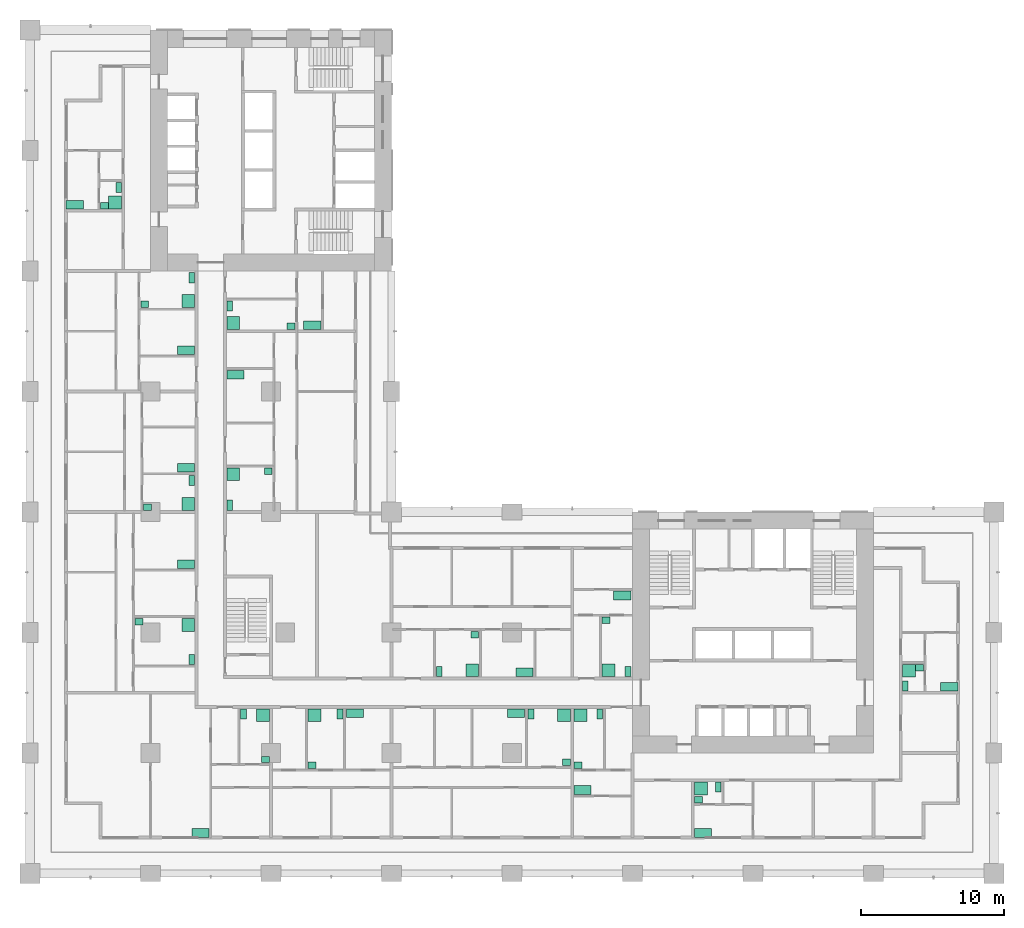
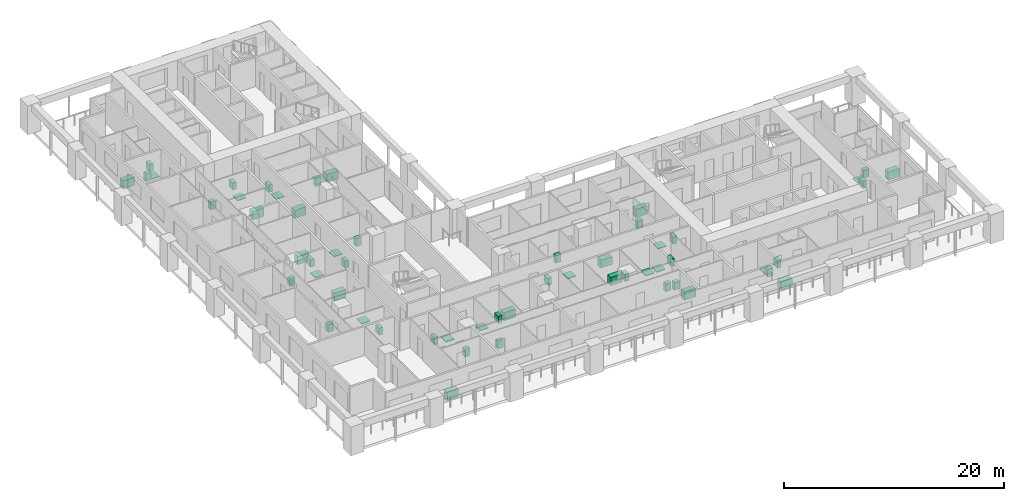
# One storey, part 19 of 19: 56 sanitary terminals.
"""IFC4 building model written with IfcOpenShell, lengths in metres."""

from ifc_helpers import new_model, si_unit, direction, frame, origin, origin_2d, place, context, subcontext, project, spatial, rectangle, extrude, material, element, save


model = new_model("IFC4")

# Units and contexts
model_context = context("Model", 3, precision=1e-05, world=origin(), true_north=direction((0.0, 1.0)))
body_context = subcontext(model_context, "Body", "Model", "MODEL_VIEW")
ifc_project = project(units=[si_unit("LENGTHUNIT", "METRE"), si_unit("AREAUNIT", "SQUARE_METRE"), si_unit("VOLUMEUNIT", "CUBIC_METRE"), si_unit("PLANEANGLEUNIT", "RADIAN"), si_unit("MASSUNIT", "GRAM", prefix="KILO")], contexts=[model_context])

# Site, building, storey
site_placement = place(None, origin())
site = spatial("IfcSite", under=ifc_project, at=site_placement, CompositionType="ELEMENT")
building_placement = place(site_placement, origin())
building = spatial("IfcBuilding", under=site, at=building_placement, Name="Vermilion Gate Residences", CompositionType="ELEMENT")
storey_placement = place(building_placement, frame((0.0, 0.0, 53.199951171875)))
storey = spatial("IfcBuildingStorey", under=building, at=storey_placement, Name="L12", CompositionType="ELEMENT", Elevation=53.199951171875)

# Sanitary terminals
ifc_material_1 = material(Name="Stainless steel", Category="steel")
sanitary_terminal_1_placement = place(storey_placement, frame((11.8798828125, 2.820068359375, 0.0), z_axis=(0.0, 0.0, 1.0), x_axis=(1.0, 0.0, 0.0)))
element("IfcSanitaryTerminal", 1, at=sanitary_terminal_1_placement, inside=storey, material=ifc_material_1, Name="Kitchen sink", PredefinedType="SINK", context=body_context, shape_type="SweptSolid", body=[
    extrude(rectangle(XDim=1.199951171875, YDim=0.60009765625, at=origin_2d()), origin(), (0.0, 0.0, 1.0), 0.89990234375),
])
ifc_material_2 = material(Name="Vitreous china")
sanitary_terminal_2_placement = place(storey_placement, frame((16.22998046875, 11.030029296875, 0.0), z_axis=(0.0, 0.0, 1.0), x_axis=(1.0, 0.0, 0.0)))
element("IfcSanitaryTerminal", 2, at=sanitary_terminal_2_placement, inside=storey, material=ifc_material_2, Name="Shower tray", PredefinedType="SHOWER", context=body_context, shape_type="SweptSolid", body=[
    extrude(rectangle(XDim=0.89990234375, YDim=0.89990234375, at=origin_2d()), origin(), (0.0, 0.0, 1.0), 0.10009765625),
])
sanitary_terminal_3_placement = place(storey_placement, frame((14.8798828125, 11.1298828125, 0.0), z_axis=(0.0, 0.0, 1.0), x_axis=(1.0, 0.0, 0.0)))
element("IfcSanitaryTerminal", 3, at=sanitary_terminal_3_placement, inside=storey, material=ifc_material_2, Name="Toilet", PredefinedType="TOILETPAN", context=body_context, shape_type="SweptSolid", body=[
    extrude(rectangle(XDim=0.39990234375, YDim=0.699951171875, at=origin_2d()), origin(), (0.0, 0.0, 1.0), 0.800048828125),
])
sanitary_terminal_4_placement = place(storey_placement, frame((16.405029296875, 7.945068359375, 0.0), z_axis=(0.0, 0.0, 1.0), x_axis=(1.0, 0.0, 0.0)))
element("IfcSanitaryTerminal", 4, at=sanitary_terminal_4_placement, inside=storey, material=ifc_material_2, Name="Wash basin", PredefinedType="WASHHANDBASIN", context=body_context, shape_type="SweptSolid", body=[
    extrude(rectangle(XDim=0.550048828125, YDim=0.449951171875, at=origin_2d()), origin(), (0.0, 0.0, 1.0), 0.85009765625),
])
sanitary_terminal_5_placement = place(storey_placement, frame((19.8369140625, 11.030029296875, 0.0), z_axis=(0.0, 0.0, 1.0), x_axis=(1.0, 0.0, 0.0)))
element("IfcSanitaryTerminal", 5, at=sanitary_terminal_5_placement, inside=storey, material=ifc_material_2, Name="Shower tray", PredefinedType="SHOWER", context=body_context, shape_type="SweptSolid", body=[
    extrude(rectangle(XDim=0.89990234375, YDim=0.89990234375, at=origin_2d()), origin(), (0.0, 0.0, 1.0), 0.10009765625),
])
sanitary_terminal_6_placement = place(storey_placement, frame((21.613037109375, 11.1298828125, 0.0), z_axis=(0.0, 0.0, 1.0), x_axis=(1.0, 0.0, 0.0)))
element("IfcSanitaryTerminal", 6, at=sanitary_terminal_6_placement, inside=storey, material=ifc_material_2, Name="Toilet", PredefinedType="TOILETPAN", context=body_context, shape_type="SweptSolid", body=[
    extrude(rectangle(XDim=0.39990234375, YDim=0.699951171875, at=origin_2d()), origin(), (0.0, 0.0, 1.0), 0.800048828125),
])
sanitary_terminal_7_placement = place(storey_placement, frame((19.662109375, 7.544921875, 0.0), z_axis=(0.0, 0.0, 1.0), x_axis=(1.0, 0.0, 0.0)))
element("IfcSanitaryTerminal", 7, at=sanitary_terminal_7_placement, inside=storey, material=ifc_material_2, Name="Wash basin", PredefinedType="WASHHANDBASIN", context=body_context, shape_type="SweptSolid", body=[
    extrude(rectangle(XDim=0.550048828125, YDim=0.449951171875, at=origin_2d()), origin(), (0.0, 0.0, 1.0), 0.85009765625),
])
for number, where, z_axis, x_axis, name in (
    (8, (22.653076171875, 11.179931640625, 0.0), (0.0, 0.0, 1.0), (1.0, 0.0, 0.0), "Kitchen sink"),
    (9, (33.8798828125, 11.179931640625, 0.0), (0.0, 0.0, 1.0), (1.0, 0.0, 0.0), "Kitchen sink"),
):
    element("IfcSanitaryTerminal", number, at=place(storey_placement, frame(where, z_axis=z_axis, x_axis=x_axis)), inside=storey, material=ifc_material_1, Name=name, PredefinedType="SINK", context=body_context, shape_type="SweptSolid", body=[
        extrude(rectangle(XDim=1.199951171875, YDim=0.60009765625, at=origin_2d()), origin(), (0.0, 0.0, 1.0), 0.89990234375),
    ])
sanitary_terminal_8_placement = place(storey_placement, frame((37.22998046875, 11.030029296875, 0.0), z_axis=(0.0, 0.0, 1.0), x_axis=(1.0, 0.0, 0.0)))
element("IfcSanitaryTerminal", 10, at=sanitary_terminal_8_placement, inside=storey, material=ifc_material_2, Name="Shower tray", PredefinedType="SHOWER", context=body_context, shape_type="SweptSolid", body=[
    extrude(rectangle(XDim=0.89990234375, YDim=0.89990234375, at=origin_2d()), origin(), (0.0, 0.0, 1.0), 0.10009765625),
])
sanitary_terminal_9_placement = place(storey_placement, frame((34.919921875, 11.1298828125, 0.0), z_axis=(0.0, 0.0, 1.0), x_axis=(1.0, 0.0, 0.0)))
element("IfcSanitaryTerminal", 11, at=sanitary_terminal_9_placement, inside=storey, material=ifc_material_2, Name="Toilet", PredefinedType="TOILETPAN", context=body_context, shape_type="SweptSolid", body=[
    extrude(rectangle(XDim=0.39990234375, YDim=0.699951171875, at=origin_2d()), origin(), (0.0, 0.0, 1.0), 0.800048828125),
])
sanitary_terminal_10_placement = place(storey_placement, frame((37.405029296875, 7.7451171875, 0.0), z_axis=(0.0, 0.0, 1.0), x_axis=(1.0, 0.0, 0.0)))
element("IfcSanitaryTerminal", 12, at=sanitary_terminal_10_placement, inside=storey, material=ifc_material_2, Name="Wash basin", PredefinedType="WASHHANDBASIN", context=body_context, shape_type="SweptSolid", body=[
    extrude(rectangle(XDim=0.550048828125, YDim=0.449951171875, at=origin_2d()), origin(), (0.0, 0.0, 1.0), 0.85009765625),
])
sanitary_terminal_11_placement = place(storey_placement, frame((38.52001953125, 5.820068359375, 0.0), z_axis=(0.0, 0.0, 1.0), x_axis=(1.0, 0.0, 0.0)))
element("IfcSanitaryTerminal", 13, at=sanitary_terminal_11_placement, inside=storey, material=ifc_material_1, Name="Kitchen sink", PredefinedType="SINK", context=body_context, shape_type="SweptSolid", body=[
    extrude(rectangle(XDim=1.199951171875, YDim=0.60009765625, at=origin_2d()), origin(), (0.0, 0.0, 1.0), 0.89990234375),
])
sanitary_terminal_12_placement = place(storey_placement, frame((38.3701171875, 11.030029296875, 0.0), z_axis=(0.0, 0.0, 1.0), x_axis=(1.0, 0.0, 0.0)))
element("IfcSanitaryTerminal", 14, at=sanitary_terminal_12_placement, inside=storey, material=ifc_material_2, Name="Shower tray", PredefinedType="SHOWER", context=body_context, shape_type="SweptSolid", body=[
    extrude(rectangle(XDim=0.89990234375, YDim=0.89990234375, at=origin_2d()), origin(), (0.0, 0.0, 1.0), 0.10009765625),
])
sanitary_terminal_13_placement = place(storey_placement, frame((39.719970703125, 11.1298828125, 0.0), z_axis=(0.0, 0.0, 1.0), x_axis=(1.0, 0.0, 0.0)))
element("IfcSanitaryTerminal", 15, at=sanitary_terminal_13_placement, inside=storey, material=ifc_material_2, Name="Toilet", PredefinedType="TOILETPAN", context=body_context, shape_type="SweptSolid", body=[
    extrude(rectangle(XDim=0.39990234375, YDim=0.699951171875, at=origin_2d()), origin(), (0.0, 0.0, 1.0), 0.800048828125),
])
sanitary_terminal_14_placement = place(storey_placement, frame((38.195068359375, 7.544921875, 0.0), z_axis=(0.0, 0.0, 1.0), x_axis=(1.0, 0.0, 0.0)))
element("IfcSanitaryTerminal", 16, at=sanitary_terminal_14_placement, inside=storey, material=ifc_material_2, Name="Wash basin", PredefinedType="WASHHANDBASIN", context=body_context, shape_type="SweptSolid", body=[
    extrude(rectangle(XDim=0.550048828125, YDim=0.449951171875, at=origin_2d()), origin(), (0.0, 0.0, 1.0), 0.85009765625),
])
sanitary_terminal_15_placement = place(storey_placement, frame((30.830078125, 14.169921875, 0.0), z_axis=(0.0, 0.0, 1.0), x_axis=(1.0, 0.0, 0.0)))
element("IfcSanitaryTerminal", 17, at=sanitary_terminal_15_placement, inside=storey, material=ifc_material_2, Name="Shower tray", PredefinedType="SHOWER", context=body_context, shape_type="SweptSolid", body=[
    extrude(rectangle(XDim=0.89990234375, YDim=0.89990234375, at=origin_2d()), origin(), (0.0, 0.0, 1.0), 0.10009765625),
])
sanitary_terminal_16_placement = place(storey_placement, frame((28.52001953125, 14.070068359375, 0.0), z_axis=(0.0, 0.0, 1.0), x_axis=(1.0, 0.0, 0.0)))
element("IfcSanitaryTerminal", 18, at=sanitary_terminal_16_placement, inside=storey, material=ifc_material_2, Name="Toilet", PredefinedType="TOILETPAN", context=body_context, shape_type="SweptSolid", body=[
    extrude(rectangle(XDim=0.39990234375, YDim=0.699951171875, at=origin_2d()), origin(), (0.0, 0.0, 1.0), 0.800048828125),
])
sanitary_terminal_17_placement = place(storey_placement, frame((31.0048828125, 16.655029296875, 0.0), z_axis=(0.0, 0.0, 1.0), x_axis=(1.0, 0.0, 0.0)))
element("IfcSanitaryTerminal", 19, at=sanitary_terminal_17_placement, inside=storey, material=ifc_material_2, Name="Wash basin", PredefinedType="WASHHANDBASIN", context=body_context, shape_type="SweptSolid", body=[
    extrude(rectangle(XDim=0.550048828125, YDim=0.449951171875, at=origin_2d()), origin(), (0.0, 0.0, 1.0), 0.85009765625),
])
for number, where, z_axis, x_axis, name in (
    (20, (34.47998046875, 14.02001953125, 0.0), (0.0, 0.0, 1.0), (1.0, 0.0, 0.0), "Kitchen sink"),
    (21, (41.280029296875, 19.3798828125, 0.0), (0.0, 0.0, 1.0), (1.0, 0.0, 0.0), "Kitchen sink"),
):
    element("IfcSanitaryTerminal", number, at=place(storey_placement, frame(where, z_axis=z_axis, x_axis=x_axis)), inside=storey, material=ifc_material_1, Name=name, PredefinedType="SINK", context=body_context, shape_type="SweptSolid", body=[
        extrude(rectangle(XDim=1.199951171875, YDim=0.60009765625, at=origin_2d()), origin(), (0.0, 0.0, 1.0), 0.89990234375),
    ])
sanitary_terminal_18_placement = place(storey_placement, frame((40.330078125, 14.169921875, 0.0), z_axis=(0.0, 0.0, 1.0), x_axis=(1.0, 0.0, 0.0)))
element("IfcSanitaryTerminal", 22, at=sanitary_terminal_18_placement, inside=storey, material=ifc_material_2, Name="Shower tray", PredefinedType="SHOWER", context=body_context, shape_type="SweptSolid", body=[
    extrude(rectangle(XDim=0.89990234375, YDim=0.89990234375, at=origin_2d()), origin(), (0.0, 0.0, 1.0), 0.10009765625),
])
sanitary_terminal_19_placement = place(storey_placement, frame((41.679931640625, 14.070068359375, 0.0), z_axis=(0.0, 0.0, 1.0), x_axis=(1.0, 0.0, 0.0)))
element("IfcSanitaryTerminal", 23, at=sanitary_terminal_19_placement, inside=storey, material=ifc_material_2, Name="Toilet", PredefinedType="TOILETPAN", context=body_context, shape_type="SweptSolid", body=[
    extrude(rectangle(XDim=0.39990234375, YDim=0.699951171875, at=origin_2d()), origin(), (0.0, 0.0, 1.0), 0.800048828125),
])
sanitary_terminal_20_placement = place(storey_placement, frame((40.155029296875, 17.655029296875, 0.0), z_axis=(0.0, 0.0, 1.0), x_axis=(1.0, 0.0, 0.0)))
element("IfcSanitaryTerminal", 24, at=sanitary_terminal_20_placement, inside=storey, material=ifc_material_2, Name="Wash basin", PredefinedType="WASHHANDBASIN", context=body_context, shape_type="SweptSolid", body=[
    extrude(rectangle(XDim=0.550048828125, YDim=0.449951171875, at=origin_2d()), origin(), (0.0, 0.0, 1.0), 0.85009765625),
])
sanitary_terminal_21_placement = place(storey_placement, frame((11.030029296875, 17.330078125, 0.0), z_axis=(0.0, 0.0, 1.0), x_axis=(1.0, 0.0, 0.0)))
element("IfcSanitaryTerminal", 25, at=sanitary_terminal_21_placement, inside=storey, material=ifc_material_2, Name="Shower tray", PredefinedType="SHOWER", context=body_context, shape_type="SweptSolid", body=[
    extrude(rectangle(XDim=0.89990234375, YDim=0.89990234375, at=origin_2d()), origin(), (0.0, 0.0, 1.0), 0.10009765625),
])
sanitary_terminal_22_placement = place(storey_placement, frame((11.280029296875, 14.919921875, 0.0), z_axis=(0.0, 0.0, 1.0), x_axis=(1.0, 0.0, 0.0)))
element("IfcSanitaryTerminal", 26, at=sanitary_terminal_22_placement, inside=storey, material=ifc_material_2, Name="Toilet", PredefinedType="TOILETPAN", context=body_context, shape_type="SweptSolid", body=[
    extrude(rectangle(XDim=0.39990234375, YDim=0.699951171875, at=origin_2d()), origin(), (0.0, 0.0, 1.0), 0.800048828125),
])
sanitary_terminal_23_placement = place(storey_placement, frame((7.594970703125, 17.554931640625, 0.0), z_axis=(0.0, 0.0, 1.0), x_axis=(1.0, 0.0, 0.0)))
element("IfcSanitaryTerminal", 27, at=sanitary_terminal_23_placement, inside=storey, material=ifc_material_2, Name="Wash basin", PredefinedType="WASHHANDBASIN", context=body_context, shape_type="SweptSolid", body=[
    extrude(rectangle(XDim=0.550048828125, YDim=0.449951171875, at=origin_2d()), origin(), (0.0, 0.0, 1.0), 0.85009765625),
])
sanitary_terminal_24_placement = place(storey_placement, frame((10.8798828125, 21.570068359375, 0.0), z_axis=(0.0, 0.0, 1.0), x_axis=(1.0, 0.0, 0.0)))
element("IfcSanitaryTerminal", 28, at=sanitary_terminal_24_placement, inside=storey, material=ifc_material_1, Name="Kitchen sink", PredefinedType="SINK", context=body_context, shape_type="SweptSolid", body=[
    extrude(rectangle(XDim=1.199951171875, YDim=0.60009765625, at=origin_2d()), origin(), (0.0, 0.0, 1.0), 0.89990234375),
])
sanitary_terminal_25_placement = place(storey_placement, frame((11.030029296875, 25.77001953125, 0.0), z_axis=(0.0, 0.0, 1.0), x_axis=(1.0, 0.0, 0.0)))
element("IfcSanitaryTerminal", 29, at=sanitary_terminal_25_placement, inside=storey, material=ifc_material_2, Name="Shower tray", PredefinedType="SHOWER", context=body_context, shape_type="SweptSolid", body=[
    extrude(rectangle(XDim=0.89990234375, YDim=0.89990234375, at=origin_2d()), origin(), (0.0, 0.0, 1.0), 0.10009765625),
])
sanitary_terminal_26_placement = place(storey_placement, frame((11.280029296875, 27.39697265625, 0.0), z_axis=(0.0, 0.0, 1.0), x_axis=(1.0, 0.0, 0.0)))
element("IfcSanitaryTerminal", 30, at=sanitary_terminal_26_placement, inside=storey, material=ifc_material_2, Name="Toilet", PredefinedType="TOILETPAN", context=body_context, shape_type="SweptSolid", body=[
    extrude(rectangle(XDim=0.39990234375, YDim=0.699951171875, at=origin_2d()), origin(), (0.0, 0.0, 1.0), 0.800048828125),
])
sanitary_terminal_27_placement = place(storey_placement, frame((8.195068359375, 25.544921875, 0.0), z_axis=(0.0, 0.0, 1.0), x_axis=(1.0, 0.0, 0.0)))
element("IfcSanitaryTerminal", 31, at=sanitary_terminal_27_placement, inside=storey, material=ifc_material_2, Name="Wash basin", PredefinedType="WASHHANDBASIN", context=body_context, shape_type="SweptSolid", body=[
    extrude(rectangle(XDim=0.550048828125, YDim=0.449951171875, at=origin_2d()), origin(), (0.0, 0.0, 1.0), 0.85009765625),
])
for number, where, z_axis, x_axis, name in (
    (32, (10.8798828125, 28.287109375, 0.0), (0.0, 0.0, 1.0), (1.0, 0.0, 0.0), "Kitchen sink"),
    (33, (10.8798828125, 36.487060546875, 0.0), (0.0, 0.0, 1.0), (1.0, 0.0, 0.0), "Kitchen sink"),
):
    element("IfcSanitaryTerminal", number, at=place(storey_placement, frame(where, z_axis=z_axis, x_axis=x_axis)), inside=storey, material=ifc_material_1, Name=name, PredefinedType="SINK", context=body_context, shape_type="SweptSolid", body=[
        extrude(rectangle(XDim=1.199951171875, YDim=0.60009765625, at=origin_2d()), origin(), (0.0, 0.0, 1.0), 0.89990234375),
    ])
sanitary_terminal_28_placement = place(storey_placement, frame((11.030029296875, 39.903076171875, 0.0), z_axis=(0.0, 0.0, 1.0), x_axis=(1.0, 0.0, 0.0)))
element("IfcSanitaryTerminal", 34, at=sanitary_terminal_28_placement, inside=storey, material=ifc_material_2, Name="Shower tray", PredefinedType="SHOWER", context=body_context, shape_type="SweptSolid", body=[
    extrude(rectangle(XDim=0.89990234375, YDim=0.89990234375, at=origin_2d()), origin(), (0.0, 0.0, 1.0), 0.10009765625),
])
sanitary_terminal_29_placement = place(storey_placement, frame((11.280029296875, 41.530029296875, 0.0), z_axis=(0.0, 0.0, 1.0), x_axis=(1.0, 0.0, 0.0)))
element("IfcSanitaryTerminal", 35, at=sanitary_terminal_29_placement, inside=storey, material=ifc_material_2, Name="Toilet", PredefinedType="TOILETPAN", context=body_context, shape_type="SweptSolid", body=[
    extrude(rectangle(XDim=0.39990234375, YDim=0.699951171875, at=origin_2d()), origin(), (0.0, 0.0, 1.0), 0.800048828125),
])
sanitary_terminal_30_placement = place(storey_placement, frame((7.9951171875, 39.677978515625, 0.0), z_axis=(0.0, 0.0, 1.0), x_axis=(1.0, 0.0, 0.0)))
element("IfcSanitaryTerminal", 36, at=sanitary_terminal_30_placement, inside=storey, material=ifc_material_2, Name="Wash basin", PredefinedType="WASHHANDBASIN", context=body_context, shape_type="SweptSolid", body=[
    extrude(rectangle(XDim=0.550048828125, YDim=0.449951171875, at=origin_2d()), origin(), (0.0, 0.0, 1.0), 0.85009765625),
])
sanitary_terminal_31_placement = place(storey_placement, frame((14.169921875, 27.830078125, 0.0), z_axis=(0.0, 0.0, 1.0), x_axis=(1.0, 0.0, 0.0)))
element("IfcSanitaryTerminal", 37, at=sanitary_terminal_31_placement, inside=storey, material=ifc_material_2, Name="Shower tray", PredefinedType="SHOWER", context=body_context, shape_type="SweptSolid", body=[
    extrude(rectangle(XDim=0.89990234375, YDim=0.89990234375, at=origin_2d()), origin(), (0.0, 0.0, 1.0), 0.10009765625),
])
sanitary_terminal_32_placement = place(storey_placement, frame((13.919921875, 25.669921875, 0.0), z_axis=(0.0, 0.0, 1.0), x_axis=(1.0, 0.0, 0.0)))
element("IfcSanitaryTerminal", 38, at=sanitary_terminal_32_placement, inside=storey, material=ifc_material_2, Name="Toilet", PredefinedType="TOILETPAN", context=body_context, shape_type="SweptSolid", body=[
    extrude(rectangle(XDim=0.39990234375, YDim=0.699951171875, at=origin_2d()), origin(), (0.0, 0.0, 1.0), 0.800048828125),
])
sanitary_terminal_33_placement = place(storey_placement, frame((16.60498046875, 28.054931640625, 0.0), z_axis=(0.0, 0.0, 1.0), x_axis=(1.0, 0.0, 0.0)))
element("IfcSanitaryTerminal", 39, at=sanitary_terminal_33_placement, inside=storey, material=ifc_material_2, Name="Wash basin", PredefinedType="WASHHANDBASIN", context=body_context, shape_type="SweptSolid", body=[
    extrude(rectangle(XDim=0.550048828125, YDim=0.449951171875, at=origin_2d()), origin(), (0.0, 0.0, 1.0), 0.85009765625),
])
for number, where, z_axis, x_axis, name in (
    (40, (14.320068359375, 34.780029296875, 0.0), (0.0, 0.0, 1.0), (1.0, 0.0, 0.0), "Kitchen sink"),
    (41, (19.679931640625, 38.219970703125, 0.0), (0.0, 0.0, 1.0), (1.0, 0.0, 0.0), "Kitchen sink"),
):
    element("IfcSanitaryTerminal", number, at=place(storey_placement, frame(where, z_axis=z_axis, x_axis=x_axis)), inside=storey, material=ifc_material_1, Name=name, PredefinedType="SINK", context=body_context, shape_type="SweptSolid", body=[
        extrude(rectangle(XDim=1.199951171875, YDim=0.60009765625, at=origin_2d()), origin(), (0.0, 0.0, 1.0), 0.89990234375),
    ])
sanitary_terminal_34_placement = place(storey_placement, frame((14.169921875, 38.3701171875, 0.0), z_axis=(0.0, 0.0, 1.0), x_axis=(1.0, 0.0, 0.0)))
element("IfcSanitaryTerminal", 42, at=sanitary_terminal_34_placement, inside=storey, material=ifc_material_2, Name="Shower tray", PredefinedType="SHOWER", context=body_context, shape_type="SweptSolid", body=[
    extrude(rectangle(XDim=0.89990234375, YDim=0.89990234375, at=origin_2d()), origin(), (0.0, 0.0, 1.0), 0.10009765625),
])
sanitary_terminal_35_placement = place(storey_placement, frame((13.919921875, 39.570068359375, 0.0), z_axis=(0.0, 0.0, 1.0), x_axis=(1.0, 0.0, 0.0)))
element("IfcSanitaryTerminal", 43, at=sanitary_terminal_35_placement, inside=storey, material=ifc_material_2, Name="Toilet", PredefinedType="TOILETPAN", context=body_context, shape_type="SweptSolid", body=[
    extrude(rectangle(XDim=0.39990234375, YDim=0.699951171875, at=origin_2d()), origin(), (0.0, 0.0, 1.0), 0.800048828125),
])
sanitary_terminal_36_placement = place(storey_placement, frame((18.205078125, 38.14501953125, 0.0), z_axis=(0.0, 0.0, 1.0), x_axis=(1.0, 0.0, 0.0)))
element("IfcSanitaryTerminal", 44, at=sanitary_terminal_36_placement, inside=storey, material=ifc_material_2, Name="Wash basin", PredefinedType="WASHHANDBASIN", context=body_context, shape_type="SweptSolid", body=[
    extrude(rectangle(XDim=0.550048828125, YDim=0.449951171875, at=origin_2d()), origin(), (0.0, 0.0, 1.0), 0.85009765625),
])
sanitary_terminal_37_placement = place(storey_placement, frame((46.919921875, 2.820068359375, 0.0), z_axis=(0.0, 0.0, 1.0), x_axis=(1.0, 0.0, 0.0)))
element("IfcSanitaryTerminal", 45, at=sanitary_terminal_37_placement, inside=storey, material=ifc_material_1, Name="Kitchen sink", PredefinedType="SINK", context=body_context, shape_type="SweptSolid", body=[
    extrude(rectangle(XDim=1.199951171875, YDim=0.60009765625, at=origin_2d()), origin(), (0.0, 0.0, 1.0), 0.89990234375),
])
sanitary_terminal_38_placement = place(storey_placement, frame((46.77001953125, 5.929931640625, 0.0), z_axis=(0.0, 0.0, 1.0), x_axis=(1.0, 0.0, 0.0)))
element("IfcSanitaryTerminal", 46, at=sanitary_terminal_38_placement, inside=storey, material=ifc_material_2, Name="Shower tray", PredefinedType="SHOWER", context=body_context, shape_type="SweptSolid", body=[
    extrude(rectangle(XDim=0.89990234375, YDim=0.89990234375, at=origin_2d()), origin(), (0.0, 0.0, 1.0), 0.10009765625),
])
sanitary_terminal_39_placement = place(storey_placement, frame((47.97998046875, 6.030029296875, 0.0), z_axis=(0.0, 0.0, 1.0), x_axis=(1.0, 0.0, 0.0)))
element("IfcSanitaryTerminal", 47, at=sanitary_terminal_39_placement, inside=storey, material=ifc_material_2, Name="Toilet", PredefinedType="TOILETPAN", context=body_context, shape_type="SweptSolid", body=[
    extrude(rectangle(XDim=0.39990234375, YDim=0.699951171875, at=origin_2d()), origin(), (0.0, 0.0, 1.0), 0.800048828125),
])
sanitary_terminal_40_placement = place(storey_placement, frame((46.594970703125, 5.14501953125, 0.0), z_axis=(0.0, 0.0, 1.0), x_axis=(1.0, 0.0, 0.0)))
element("IfcSanitaryTerminal", 48, at=sanitary_terminal_40_placement, inside=storey, material=ifc_material_2, Name="Wash basin", PredefinedType="WASHHANDBASIN", context=body_context, shape_type="SweptSolid", body=[
    extrude(rectangle(XDim=0.550048828125, YDim=0.449951171875, at=origin_2d()), origin(), (0.0, 0.0, 1.0), 0.85009765625),
])
sanitary_terminal_41_placement = place(storey_placement, frame((64.080078125, 13.02001953125, 0.0), z_axis=(0.0, 0.0, 1.0), x_axis=(1.0, 0.0, 0.0)))
element("IfcSanitaryTerminal", 49, at=sanitary_terminal_41_placement, inside=storey, material=ifc_material_1, Name="Kitchen sink", PredefinedType="SINK", context=body_context, shape_type="SweptSolid", body=[
    extrude(rectangle(XDim=1.199951171875, YDim=0.60009765625, at=origin_2d()), origin(), (0.0, 0.0, 1.0), 0.89990234375),
])
sanitary_terminal_42_placement = place(storey_placement, frame((61.27001953125, 14.1298828125, 0.0), z_axis=(0.0, 0.0, 1.0), x_axis=(1.0, 0.0, 0.0)))
element("IfcSanitaryTerminal", 50, at=sanitary_terminal_42_placement, inside=storey, material=ifc_material_2, Name="Shower tray", PredefinedType="SHOWER", context=body_context, shape_type="SweptSolid", body=[
    extrude(rectangle(XDim=0.89990234375, YDim=0.89990234375, at=origin_2d()), origin(), (0.0, 0.0, 1.0), 0.10009765625),
])
sanitary_terminal_43_placement = place(storey_placement, frame((61.02001953125, 13.070068359375, 0.0), z_axis=(0.0, 0.0, 1.0), x_axis=(1.0, 0.0, 0.0)))
element("IfcSanitaryTerminal", 51, at=sanitary_terminal_43_placement, inside=storey, material=ifc_material_2, Name="Toilet", PredefinedType="TOILETPAN", context=body_context, shape_type="SweptSolid", body=[
    extrude(rectangle(XDim=0.39990234375, YDim=0.699951171875, at=origin_2d()), origin(), (0.0, 0.0, 1.0), 0.800048828125),
])
sanitary_terminal_44_placement = place(storey_placement, frame((62.0048828125, 14.35498046875, 0.0), z_axis=(0.0, 0.0, 1.0), x_axis=(1.0, 0.0, 0.0)))
element("IfcSanitaryTerminal", 52, at=sanitary_terminal_44_placement, inside=storey, material=ifc_material_2, Name="Wash basin", PredefinedType="WASHHANDBASIN", context=body_context, shape_type="SweptSolid", body=[
    extrude(rectangle(XDim=0.550048828125, YDim=0.449951171875, at=origin_2d()), origin(), (0.0, 0.0, 1.0), 0.85009765625),
])
sanitary_terminal_45_placement = place(storey_placement, frame((3.1201171875, 46.6201171875, 0.0), z_axis=(0.0, 0.0, 1.0), x_axis=(1.0, 0.0, 0.0)))
element("IfcSanitaryTerminal", 53, at=sanitary_terminal_45_placement, inside=storey, material=ifc_material_1, Name="Kitchen sink", PredefinedType="SINK", context=body_context, shape_type="SweptSolid", body=[
    extrude(rectangle(XDim=1.199951171875, YDim=0.60009765625, at=origin_2d()), origin(), (0.0, 0.0, 1.0), 0.89990234375),
])
sanitary_terminal_46_placement = place(storey_placement, frame((5.929931640625, 46.77001953125, 0.0), z_axis=(0.0, 0.0, 1.0), x_axis=(1.0, 0.0, 0.0)))
element("IfcSanitaryTerminal", 54, at=sanitary_terminal_46_placement, inside=storey, material=ifc_material_2, Name="Shower tray", PredefinedType="SHOWER", context=body_context, shape_type="SweptSolid", body=[
    extrude(rectangle(XDim=0.89990234375, YDim=0.89990234375, at=origin_2d()), origin(), (0.0, 0.0, 1.0), 0.10009765625),
])
sanitary_terminal_47_placement = place(storey_placement, frame((6.179931640625, 47.830078125, 0.0), z_axis=(0.0, 0.0, 1.0), x_axis=(1.0, 0.0, 0.0)))
element("IfcSanitaryTerminal", 55, at=sanitary_terminal_47_placement, inside=storey, material=ifc_material_2, Name="Toilet", PredefinedType="TOILETPAN", context=body_context, shape_type="SweptSolid", body=[
    extrude(rectangle(XDim=0.39990234375, YDim=0.699951171875, at=origin_2d()), origin(), (0.0, 0.0, 1.0), 0.800048828125),
])
sanitary_terminal_48_placement = place(storey_placement, frame((5.195068359375, 46.544921875, 0.0), z_axis=(0.0, 0.0, 1.0), x_axis=(1.0, 0.0, 0.0)))
element("IfcSanitaryTerminal", 56, at=sanitary_terminal_48_placement, inside=storey, material=ifc_material_2, Name="Wash basin", PredefinedType="WASHHANDBASIN", context=body_context, shape_type="SweptSolid", body=[
    extrude(rectangle(XDim=0.550048828125, YDim=0.449951171875, at=origin_2d()), origin(), (0.0, 0.0, 1.0), 0.85009765625),
])

save(model, "model.ifc")
